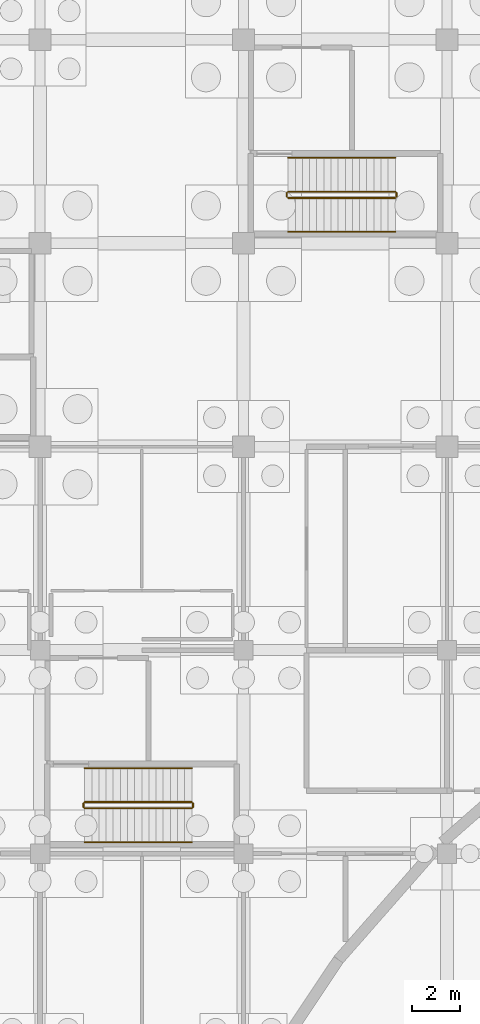
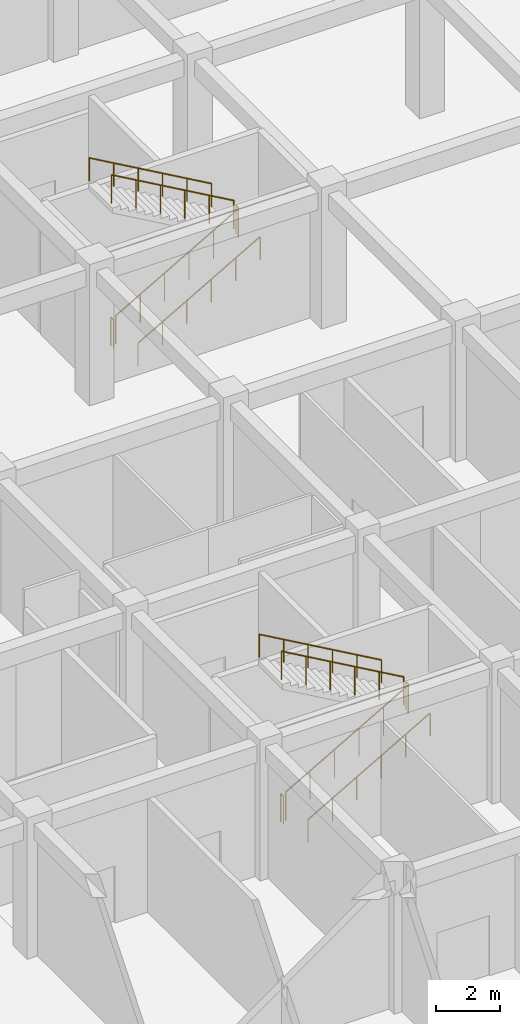
# One storey, part 63 of 65: 12 railings.
"""IFC4 building model written with IfcOpenShell, lengths in metres."""

from ifc_helpers import new_model, si_unit, direction, frame, origin, origin_2d, place, context, subcontext, project, spatial, circle, extrude, material, type_object, element, save


model = new_model("IFC4")

# Units and contexts
model_context = context("Model", 3, precision=1e-05, world=origin(), true_north=direction((0.0, 1.0)))
body_context = subcontext(model_context, "Body", "Model", "MODEL_VIEW")
ifc_project = project(units=[si_unit("LENGTHUNIT", "METRE"), si_unit("AREAUNIT", "SQUARE_METRE"), si_unit("VOLUMEUNIT", "CUBIC_METRE"), si_unit("PLANEANGLEUNIT", "RADIAN"), si_unit("MASSUNIT", "GRAM", prefix="KILO")], contexts=[model_context])

# Site, building, storey
site_placement = place(None, origin())
site = spatial("IfcSite", under=ifc_project, at=site_placement, CompositionType="ELEMENT")
building_placement = place(site_placement, origin())
building = spatial("IfcBuilding", under=site, at=building_placement, Name="Bramfleet General Hospital", CompositionType="ELEMENT")
storey_placement = place(building_placement, frame((0.0, 0.0, -5.39990234375)))
storey = spatial("IfcBuildingStorey", under=building, at=storey_placement, Name="B1", CompositionType="ELEMENT", Elevation=-5.39990234375)

# Railings
ifc_material_1 = material(Name="Powder-coated steel stair balustrade", Category="steel")
railing_type_1 = type_object("IfcRailingType", Name="RAIL-ST-GUARD", PredefinedType="GUARDRAIL", material=ifc_material_1)
railing_1_placement = place(storey_placement, frame((136.239990234375, 102.669921875, 0.168701171875)))
element("IfcRailing", 1, at=railing_1_placement, inside=storey, type_object=railing_type_1, Name="B1 ST-C9 stair guard 1", PredefinedType="GUARDRAIL", context=body_context, shape_type="SweptSolid", body=[
    extrude(circle(Radius=0.02392578125, at=origin_2d()), frame((0.0, 0.0, 1.076171875), z_axis=(0.868019072493, 0.0, 0.49653085482), x_axis=(0.0, 1.0, 0.0)), (0.0, 0.0, 1.0), 5.097900390625),
    extrude(circle(Radius=0.02099609375, at=origin_2d()), origin(), (0.0, 0.0, 1.0), 1.052001953125),
    extrude(circle(Radius=0.02099609375, at=origin_2d()), frame((0.885009765625, 0.0, 0.50634765625)), (0.0, 0.0, 1.0), 1.052001953125),
    extrude(circle(Radius=0.02099609375, at=origin_2d()), frame((1.77001953125, 0.0, 1.012451171875)), (0.0, 0.0, 1.0), 1.052001953125),
    extrude(circle(Radius=0.02099609375, at=origin_2d()), frame((2.655029296875, 0.0, 1.518798828125)), (0.0, 0.0, 1.0), 1.052001953125),
    extrude(circle(Radius=0.02099609375, at=origin_2d()), frame((3.5400390625, 0.0, 2.02490234375)), (0.0, 0.0, 1.0), 1.052001953125),
    extrude(circle(Radius=0.02099609375, at=origin_2d()), frame((4.425048828125, 0.0, 2.53125)), (0.0, 0.0, 1.0), 1.052001953125),
])
railing_2_placement = place(storey_placement, frame((140.715087890625, 102.719970703125, 2.699951171875)))
element("IfcRailing", 2, at=railing_2_placement, inside=storey, type_object=railing_type_1, Name="B1 ST-C9 stair guard 2", PredefinedType="GUARDRAIL", context=body_context, shape_type="SweptSolid", body=[
    extrude(circle(Radius=0.02392578125, at=origin_2d()), frame((0.0, 0.0, 1.076171875), z_axis=(0.0, 1.0, 0.0), x_axis=(-1.0, 0.0, 0.0)), (0.0, 0.0, 1.0), 0.159912109375),
    extrude(circle(Radius=0.02099609375, at=origin_2d()), origin(), (0.0, 0.0, 1.0), 1.052001953125),
    extrude(circle(Radius=0.02099609375, at=origin_2d()), frame((0.0, 0.159912109375, 0.0)), (0.0, 0.0, 1.0), 1.052001953125),
])
railing_3_placement = place(storey_placement, frame((140.6650390625, 102.929931640625, 2.86865234375)))
element("IfcRailing", 3, at=railing_3_placement, inside=storey, type_object=railing_type_1, Name="B1 ST-C9 stair guard 3", PredefinedType="GUARDRAIL", context=body_context, shape_type="SweptSolid", body=[
    extrude(circle(Radius=0.02392578125, at=origin_2d()), frame((0.0, 0.0, 1.076171875), z_axis=(-0.868019072493, 0.0, 0.49653085482), x_axis=(0.0, -1.0, 0.0)), (0.0, 0.0, 1.0), 5.097900390625),
    extrude(circle(Radius=0.02099609375, at=origin_2d()), origin(), (0.0, 0.0, 1.0), 1.052001953125),
    extrude(circle(Radius=0.02099609375, at=origin_2d()), frame((-0.885009765625, 0.0, 0.50634765625)), (0.0, 0.0, 1.0), 1.052001953125),
    extrude(circle(Radius=0.02099609375, at=origin_2d()), frame((-1.77001953125, 0.0, 1.012451171875)), (0.0, 0.0, 1.0), 1.052001953125),
    extrude(circle(Radius=0.02099609375, at=origin_2d()), frame((-2.655029296875, 0.0, 1.518798828125)), (0.0, 0.0, 1.0), 1.052001953125),
    extrude(circle(Radius=0.02099609375, at=origin_2d()), frame((-3.5400390625, 0.0, 2.02490234375)), (0.0, 0.0, 1.0), 1.052001953125),
    extrude(circle(Radius=0.02099609375, at=origin_2d()), frame((-4.425048828125, 0.0, 2.53125)), (0.0, 0.0, 1.0), 1.052001953125),
])
railing_4_placement = place(storey_placement, frame((136.18994140625, 102.719970703125, 0.0)))
element("IfcRailing", 4, at=railing_4_placement, inside=storey, type_object=railing_type_1, Name="B1 ST-C9 stair guard 4", PredefinedType="GUARDRAIL", context=body_context, shape_type="SweptSolid", body=[
    extrude(circle(Radius=0.02392578125, at=origin_2d()), frame((0.0, 0.0, 1.076171875), z_axis=(0.0, 1.0, 0.0), x_axis=(-1.0, 0.0, 0.0)), (0.0, 0.0, 1.0), 0.159912109375),
    extrude(circle(Radius=0.02099609375, at=origin_2d()), origin(), (0.0, 0.0, 1.0), 1.052001953125),
    extrude(circle(Radius=0.02099609375, at=origin_2d()), frame((0.0, 0.159912109375, 0.0)), (0.0, 0.0, 1.0), 1.052001953125),
])
railing_5_placement = place(storey_placement, frame((127.840087890625, 77.469970703125, 0.168701171875)))
element("IfcRailing", 5, at=railing_5_placement, inside=storey, type_object=railing_type_1, Name="B1 ST-C12 stair guard 1", PredefinedType="GUARDRAIL", context=body_context, shape_type="SweptSolid", body=[
    extrude(circle(Radius=0.02392578125, at=origin_2d()), frame((0.0, 0.0, 1.076171875), z_axis=(0.868007264643, 0.0, 0.496551496349), x_axis=(0.0, 1.0, 0.0)), (0.0, 0.0, 1.0), 5.09765625),
    extrude(circle(Radius=0.02099609375, at=origin_2d()), origin(), (0.0, 0.0, 1.0), 1.052001953125),
    extrude(circle(Radius=0.02099609375, at=origin_2d()), frame((0.885009765625, 0.0, 0.50634765625)), (0.0, 0.0, 1.0), 1.052001953125),
    extrude(circle(Radius=0.02099609375, at=origin_2d()), frame((1.77001953125, 0.0, 1.012451171875)), (0.0, 0.0, 1.0), 1.052001953125),
    extrude(circle(Radius=0.02099609375, at=origin_2d()), frame((2.65478515625, 0.0, 1.518798828125)), (0.0, 0.0, 1.0), 1.052001953125),
    extrude(circle(Radius=0.02099609375, at=origin_2d()), frame((3.539794921875, 0.0, 2.02490234375)), (0.0, 0.0, 1.0), 1.052001953125),
    extrude(circle(Radius=0.02099609375, at=origin_2d()), frame((4.4248046875, 0.0, 2.53125)), (0.0, 0.0, 1.0), 1.052001953125),
])
railing_6_placement = place(storey_placement, frame((132.31494140625, 77.52001953125, 2.699951171875)))
element("IfcRailing", 6, at=railing_6_placement, inside=storey, type_object=railing_type_1, Name="B1 ST-C12 stair guard 2", PredefinedType="GUARDRAIL", context=body_context, shape_type="SweptSolid", body=[
    extrude(circle(Radius=0.02392578125, at=origin_2d()), frame((0.0, 0.0, 1.076171875), z_axis=(0.0, 1.0, 0.0), x_axis=(-1.0, 0.0, 0.0)), (0.0, 0.0, 1.0), 0.159912109375),
    extrude(circle(Radius=0.02099609375, at=origin_2d()), origin(), (0.0, 0.0, 1.0), 1.052001953125),
    extrude(circle(Radius=0.02099609375, at=origin_2d()), frame((0.0, 0.159912109375, 0.0)), (0.0, 0.0, 1.0), 1.052001953125),
])
railing_7_placement = place(storey_placement, frame((132.264892578125, 77.72998046875, 2.86865234375)))
element("IfcRailing", 7, at=railing_7_placement, inside=storey, type_object=railing_type_1, Name="B1 ST-C12 stair guard 3", PredefinedType="GUARDRAIL", context=body_context, shape_type="SweptSolid", body=[
    extrude(circle(Radius=0.02392578125, at=origin_2d()), frame((0.0, 0.0, 1.076171875), z_axis=(-0.868007264643, 0.0, 0.496551496349), x_axis=(0.0, -1.0, 0.0)), (0.0, 0.0, 1.0), 5.09765625),
    extrude(circle(Radius=0.02099609375, at=origin_2d()), origin(), (0.0, 0.0, 1.0), 1.052001953125),
    extrude(circle(Radius=0.02099609375, at=origin_2d()), frame((-0.885009765625, 0.0, 0.50634765625)), (0.0, 0.0, 1.0), 1.052001953125),
    extrude(circle(Radius=0.02099609375, at=origin_2d()), frame((-1.77001953125, 0.0, 1.012451171875)), (0.0, 0.0, 1.0), 1.052001953125),
    extrude(circle(Radius=0.02099609375, at=origin_2d()), frame((-2.65478515625, 0.0, 1.518798828125)), (0.0, 0.0, 1.0), 1.052001953125),
    extrude(circle(Radius=0.02099609375, at=origin_2d()), frame((-3.539794921875, 0.0, 2.02490234375)), (0.0, 0.0, 1.0), 1.052001953125),
    extrude(circle(Radius=0.02099609375, at=origin_2d()), frame((-4.4248046875, 0.0, 2.53125)), (0.0, 0.0, 1.0), 1.052001953125),
])
railing_8_placement = place(storey_placement, frame((127.7900390625, 77.52001953125, 0.0)))
element("IfcRailing", 8, at=railing_8_placement, inside=storey, type_object=railing_type_1, Name="B1 ST-C12 stair guard 4", PredefinedType="GUARDRAIL", context=body_context, shape_type="SweptSolid", body=[
    extrude(circle(Radius=0.02392578125, at=origin_2d()), frame((0.0, 0.0, 1.076171875), z_axis=(0.0, 1.0, 0.0), x_axis=(-1.0, 0.0, 0.0)), (0.0, 0.0, 1.0), 0.159912109375),
    extrude(circle(Radius=0.02099609375, at=origin_2d()), origin(), (0.0, 0.0, 1.0), 1.052001953125),
    extrude(circle(Radius=0.02099609375, at=origin_2d()), frame((0.0, 0.159912109375, 0.0)), (0.0, 0.0, 1.0), 1.052001953125),
])
ifc_material_2 = material(Name="Stainless steel 1.4301 stair handrail", Category="steel")
railing_type_2 = type_object("IfcRailingType", Name="RAIL-ST-HND", PredefinedType="HANDRAIL", material=ifc_material_2)
railing_9_placement = place(storey_placement, frame((136.239990234375, 101.27001953125, 0.168701171875)))
element("IfcRailing", 9, at=railing_9_placement, inside=storey, type_object=railing_type_2, Name="B1 ST-C9 stair handrail 1", PredefinedType="HANDRAIL", context=body_context, shape_type="SweptSolid", body=[
    extrude(circle(Radius=0.02392578125, at=origin_2d()), frame((0.0, 0.0, 0.8759765625), z_axis=(0.868019072493, 0.0, 0.49653085482), x_axis=(0.0, 1.0, 0.0)), (0.0, 0.0, 1.0), 5.097900390625),
    extrude(circle(Radius=0.02099609375, at=origin_2d()), origin(), (0.0, 0.0, 1.0), 0.851806640625),
    extrude(circle(Radius=0.02099609375, at=origin_2d()), frame((0.885009765625, 0.0, 0.50634765625)), (0.0, 0.0, 1.0), 0.851806640625),
    extrude(circle(Radius=0.02099609375, at=origin_2d()), frame((1.77001953125, 0.0, 1.012451171875)), (0.0, 0.0, 1.0), 0.851806640625),
    extrude(circle(Radius=0.02099609375, at=origin_2d()), frame((2.655029296875, 0.0, 1.518798828125)), (0.0, 0.0, 1.0), 0.851806640625),
    extrude(circle(Radius=0.02099609375, at=origin_2d()), frame((3.5400390625, 0.0, 2.02490234375)), (0.0, 0.0, 1.0), 0.851806640625),
    extrude(circle(Radius=0.02099609375, at=origin_2d()), frame((4.425048828125, 0.0, 2.53125)), (0.0, 0.0, 1.0), 0.851806640625),
])
railing_10_placement = place(storey_placement, frame((140.6650390625, 104.330078125, 2.86865234375)))
element("IfcRailing", 10, at=railing_10_placement, inside=storey, type_object=railing_type_2, Name="B1 ST-C9 stair handrail 2", PredefinedType="HANDRAIL", context=body_context, shape_type="SweptSolid", body=[
    extrude(circle(Radius=0.02392578125, at=origin_2d()), frame((0.0, 0.0, 0.8759765625), z_axis=(-0.868019072493, 0.0, 0.49653085482), x_axis=(0.0, -1.0, 0.0)), (0.0, 0.0, 1.0), 5.097900390625),
    extrude(circle(Radius=0.02099609375, at=origin_2d()), origin(), (0.0, 0.0, 1.0), 0.851806640625),
    extrude(circle(Radius=0.02099609375, at=origin_2d()), frame((-0.885009765625, 0.0, 0.50634765625)), (0.0, 0.0, 1.0), 0.851806640625),
    extrude(circle(Radius=0.02099609375, at=origin_2d()), frame((-1.77001953125, 0.0, 1.012451171875)), (0.0, 0.0, 1.0), 0.851806640625),
    extrude(circle(Radius=0.02099609375, at=origin_2d()), frame((-2.655029296875, 0.0, 1.518798828125)), (0.0, 0.0, 1.0), 0.851806640625),
    extrude(circle(Radius=0.02099609375, at=origin_2d()), frame((-3.5400390625, 0.0, 2.02490234375)), (0.0, 0.0, 1.0), 0.851806640625),
    extrude(circle(Radius=0.02099609375, at=origin_2d()), frame((-4.425048828125, 0.0, 2.53125)), (0.0, 0.0, 1.0), 0.851806640625),
])
railing_11_placement = place(storey_placement, frame((127.840087890625, 76.070068359375, 0.168701171875)))
element("IfcRailing", 11, at=railing_11_placement, inside=storey, type_object=railing_type_2, Name="B1 ST-C12 stair handrail 1", PredefinedType="HANDRAIL", context=body_context, shape_type="SweptSolid", body=[
    extrude(circle(Radius=0.02392578125, at=origin_2d()), frame((0.0, 0.0, 0.8759765625), z_axis=(0.868007264643, 0.0, 0.496551496349), x_axis=(0.0, 1.0, 0.0)), (0.0, 0.0, 1.0), 5.09765625),
    extrude(circle(Radius=0.02099609375, at=origin_2d()), origin(), (0.0, 0.0, 1.0), 0.851806640625),
    extrude(circle(Radius=0.02099609375, at=origin_2d()), frame((0.885009765625, 0.0, 0.50634765625)), (0.0, 0.0, 1.0), 0.851806640625),
    extrude(circle(Radius=0.02099609375, at=origin_2d()), frame((1.77001953125, 0.0, 1.012451171875)), (0.0, 0.0, 1.0), 0.851806640625),
    extrude(circle(Radius=0.02099609375, at=origin_2d()), frame((2.65478515625, 0.0, 1.518798828125)), (0.0, 0.0, 1.0), 0.851806640625),
    extrude(circle(Radius=0.02099609375, at=origin_2d()), frame((3.539794921875, 0.0, 2.02490234375)), (0.0, 0.0, 1.0), 0.851806640625),
    extrude(circle(Radius=0.02099609375, at=origin_2d()), frame((4.4248046875, 0.0, 2.53125)), (0.0, 0.0, 1.0), 0.851806640625),
])
railing_12_placement = place(storey_placement, frame((132.264892578125, 79.1298828125, 2.86865234375)))
element("IfcRailing", 12, at=railing_12_placement, inside=storey, type_object=railing_type_2, Name="B1 ST-C12 stair handrail 2", PredefinedType="HANDRAIL", context=body_context, shape_type="SweptSolid", body=[
    extrude(circle(Radius=0.02392578125, at=origin_2d()), frame((0.0, 0.0, 0.8759765625), z_axis=(-0.868007264643, 0.0, 0.496551496349), x_axis=(0.0, -1.0, 0.0)), (0.0, 0.0, 1.0), 5.09765625),
    extrude(circle(Radius=0.02099609375, at=origin_2d()), origin(), (0.0, 0.0, 1.0), 0.851806640625),
    extrude(circle(Radius=0.02099609375, at=origin_2d()), frame((-0.885009765625, 0.0, 0.50634765625)), (0.0, 0.0, 1.0), 0.851806640625),
    extrude(circle(Radius=0.02099609375, at=origin_2d()), frame((-1.77001953125, 0.0, 1.012451171875)), (0.0, 0.0, 1.0), 0.851806640625),
    extrude(circle(Radius=0.02099609375, at=origin_2d()), frame((-2.65478515625, 0.0, 1.518798828125)), (0.0, 0.0, 1.0), 0.851806640625),
    extrude(circle(Radius=0.02099609375, at=origin_2d()), frame((-3.539794921875, 0.0, 2.02490234375)), (0.0, 0.0, 1.0), 0.851806640625),
    extrude(circle(Radius=0.02099609375, at=origin_2d()), frame((-4.4248046875, 0.0, 2.53125)), (0.0, 0.0, 1.0), 0.851806640625),
])

save(model, "model.ifc")
